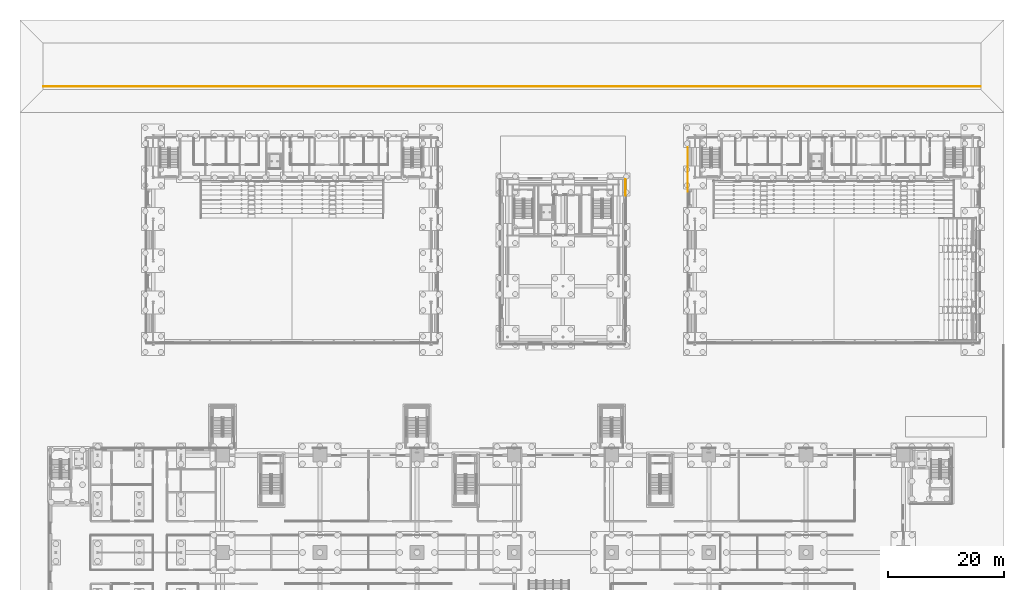
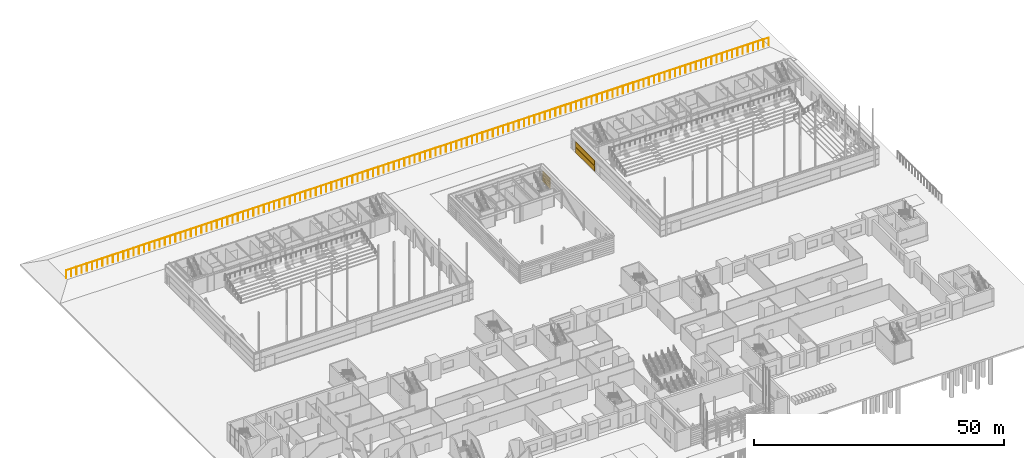
# One storey, part 130 of 139: 7 coverings, 1 railing.
"""IFC4 building model written with IfcOpenShell, lengths in metres."""

from ifc_helpers import new_model, si_unit, direction, frame, origin, origin_2d, place, context, subcontext, project, spatial, rectangle, circle, extrude, material, layer, layer_set, type_object, element, save


model = new_model("IFC4")

# Units and contexts
model_context = context("Model", 3, precision=1e-05, world=origin(), true_north=direction((0.0, 1.0)))
body_context = subcontext(model_context, "Body", "Model", "MODEL_VIEW")
ifc_project = project(units=[si_unit("LENGTHUNIT", "METRE"), si_unit("AREAUNIT", "SQUARE_METRE"), si_unit("VOLUMEUNIT", "CUBIC_METRE"), si_unit("PLANEANGLEUNIT", "RADIAN"), si_unit("MASSUNIT", "GRAM", prefix="KILO")], contexts=[model_context])

# Site, building, storey
site_placement = place(None, origin())
site = spatial("IfcSite", under=ifc_project, at=site_placement, CompositionType="ELEMENT")
building_placement = place(site_placement, origin())
building = spatial("IfcBuilding", under=site, at=building_placement, Name="Verrick Yard Athletic Hall", CompositionType="ELEMENT")
storey_placement = place(building_placement, origin())
storey = spatial("IfcBuildingStorey", under=building, at=storey_placement, Name="L00", CompositionType="ELEMENT", Elevation=0.0)

# Railing
ifc_material_1 = material(Name="Galvanised steel", Category="steel")
railing_type = type_object("IfcRailingType", Name="Site fence", PredefinedType="USERDEFINED", material=ifc_material_1)
railing_placement = place(storey_placement, frame((9.0, 116.5, 2.0)))
element("IfcRailing", 1, at=railing_placement, inside=storey, type_object=railing_type, Name="Rail-side fence", ObjectType="FENCE", PredefinedType="USERDEFINED", context=body_context, shape_type="SweptSolid", body=[
    extrude(circle(Radius=0.02392578125, at=origin_2d()), frame((0.0, 0.0, 1.97607421875), z_axis=(1.0, 0.0, 0.0), x_axis=(0.0, 1.0, 0.0)), (0.0, 0.0, 1.0), 162.0),
    extrude(circle(Radius=0.02099609375, at=origin_2d()), origin(), (0.0, 0.0, 1.0), 1.951904296875),
    extrude(circle(Radius=0.02099609375, at=origin_2d()), frame((1.199951171875, 0.0, 0.0)), (0.0, 0.0, 1.0), 1.951904296875),
    extrude(circle(Radius=0.02099609375, at=origin_2d()), frame((2.39990234375, 0.0, 0.0)), (0.0, 0.0, 1.0), 1.951904296875),
    extrude(circle(Radius=0.02099609375, at=origin_2d()), frame((3.60009765625, 0.0, 0.0)), (0.0, 0.0, 1.0), 1.951904296875),
    extrude(circle(Radius=0.02099609375, at=origin_2d()), frame((4.800048828125, 0.0, 0.0)), (0.0, 0.0, 1.0), 1.951904296875),
    extrude(circle(Radius=0.02099609375, at=origin_2d()), frame((6.0, 0.0, 0.0)), (0.0, 0.0, 1.0), 1.951904296875),
    extrude(circle(Radius=0.02099609375, at=origin_2d()), frame((7.199951171875, 0.0, 0.0)), (0.0, 0.0, 1.0), 1.951904296875),
    extrude(circle(Radius=0.02099609375, at=origin_2d()), frame((8.39990234375, 0.0, 0.0)), (0.0, 0.0, 1.0), 1.951904296875),
    extrude(circle(Radius=0.02099609375, at=origin_2d()), frame((9.60009765625, 0.0, 0.0)), (0.0, 0.0, 1.0), 1.951904296875),
    extrude(circle(Radius=0.02099609375, at=origin_2d()), frame((10.800048828125, 0.0, 0.0)), (0.0, 0.0, 1.0), 1.951904296875),
    extrude(circle(Radius=0.02099609375, at=origin_2d()), frame((12.0, 0.0, 0.0)), (0.0, 0.0, 1.0), 1.951904296875),
    extrude(circle(Radius=0.02099609375, at=origin_2d()), frame((13.199951171875, 0.0, 0.0)), (0.0, 0.0, 1.0), 1.951904296875),
    extrude(circle(Radius=0.02099609375, at=origin_2d()), frame((14.39990234375, 0.0, 0.0)), (0.0, 0.0, 1.0), 1.951904296875),
    extrude(circle(Radius=0.02099609375, at=origin_2d()), frame((15.60009765625, 0.0, 0.0)), (0.0, 0.0, 1.0), 1.951904296875),
    extrude(circle(Radius=0.02099609375, at=origin_2d()), frame((16.800048828125, 0.0, 0.0)), (0.0, 0.0, 1.0), 1.951904296875),
    extrude(circle(Radius=0.02099609375, at=origin_2d()), frame((18.0, 0.0, 0.0)), (0.0, 0.0, 1.0), 1.951904296875),
    extrude(circle(Radius=0.02099609375, at=origin_2d()), frame((19.199951171875, 0.0, 0.0)), (0.0, 0.0, 1.0), 1.951904296875),
    extrude(circle(Radius=0.02099609375, at=origin_2d()), frame((20.39990234375, 0.0, 0.0)), (0.0, 0.0, 1.0), 1.951904296875),
    extrude(circle(Radius=0.02099609375, at=origin_2d()), frame((21.60009765625, 0.0, 0.0)), (0.0, 0.0, 1.0), 1.951904296875),
    extrude(circle(Radius=0.02099609375, at=origin_2d()), frame((22.800048828125, 0.0, 0.0)), (0.0, 0.0, 1.0), 1.951904296875),
    extrude(circle(Radius=0.02099609375, at=origin_2d()), frame((24.0, 0.0, 0.0)), (0.0, 0.0, 1.0), 1.951904296875),
    extrude(circle(Radius=0.02099609375, at=origin_2d()), frame((25.199951171875, 0.0, 0.0)), (0.0, 0.0, 1.0), 1.951904296875),
    extrude(circle(Radius=0.02099609375, at=origin_2d()), frame((26.39990234375, 0.0, 0.0)), (0.0, 0.0, 1.0), 1.951904296875),
    extrude(circle(Radius=0.02099609375, at=origin_2d()), frame((27.60009765625, 0.0, 0.0)), (0.0, 0.0, 1.0), 1.951904296875),
    extrude(circle(Radius=0.02099609375, at=origin_2d()), frame((28.800048828125, 0.0, 0.0)), (0.0, 0.0, 1.0), 1.951904296875),
    extrude(circle(Radius=0.02099609375, at=origin_2d()), frame((30.0, 0.0, 0.0)), (0.0, 0.0, 1.0), 1.951904296875),
    extrude(circle(Radius=0.02099609375, at=origin_2d()), frame((31.199951171875, 0.0, 0.0)), (0.0, 0.0, 1.0), 1.951904296875),
    extrude(circle(Radius=0.02099609375, at=origin_2d()), frame((32.39990234375, 0.0, 0.0)), (0.0, 0.0, 1.0), 1.951904296875),
    extrude(circle(Radius=0.02099609375, at=origin_2d()), frame((33.60009765625, 0.0, 0.0)), (0.0, 0.0, 1.0), 1.951904296875),
    extrude(circle(Radius=0.02099609375, at=origin_2d()), frame((34.800048828125, 0.0, 0.0)), (0.0, 0.0, 1.0), 1.951904296875),
    extrude(circle(Radius=0.02099609375, at=origin_2d()), frame((36.0, 0.0, 0.0)), (0.0, 0.0, 1.0), 1.951904296875),
    extrude(circle(Radius=0.02099609375, at=origin_2d()), frame((37.199951171875, 0.0, 0.0)), (0.0, 0.0, 1.0), 1.951904296875),
    extrude(circle(Radius=0.02099609375, at=origin_2d()), frame((38.39990234375, 0.0, 0.0)), (0.0, 0.0, 1.0), 1.951904296875),
    extrude(circle(Radius=0.02099609375, at=origin_2d()), frame((39.60009765625, 0.0, 0.0)), (0.0, 0.0, 1.0), 1.951904296875),
    extrude(circle(Radius=0.02099609375, at=origin_2d()), frame((40.800048828125, 0.0, 0.0)), (0.0, 0.0, 1.0), 1.951904296875),
    extrude(circle(Radius=0.02099609375, at=origin_2d()), frame((42.0, 0.0, 0.0)), (0.0, 0.0, 1.0), 1.951904296875),
    extrude(circle(Radius=0.02099609375, at=origin_2d()), frame((43.199951171875, 0.0, 0.0)), (0.0, 0.0, 1.0), 1.951904296875),
    extrude(circle(Radius=0.02099609375, at=origin_2d()), frame((44.39990234375, 0.0, 0.0)), (0.0, 0.0, 1.0), 1.951904296875),
    extrude(circle(Radius=0.02099609375, at=origin_2d()), frame((45.60009765625, 0.0, 0.0)), (0.0, 0.0, 1.0), 1.951904296875),
    extrude(circle(Radius=0.02099609375, at=origin_2d()), frame((46.800048828125, 0.0, 0.0)), (0.0, 0.0, 1.0), 1.951904296875),
    extrude(circle(Radius=0.02099609375, at=origin_2d()), frame((48.0, 0.0, 0.0)), (0.0, 0.0, 1.0), 1.951904296875),
    extrude(circle(Radius=0.02099609375, at=origin_2d()), frame((49.199951171875, 0.0, 0.0)), (0.0, 0.0, 1.0), 1.951904296875),
    extrude(circle(Radius=0.02099609375, at=origin_2d()), frame((50.39990234375, 0.0, 0.0)), (0.0, 0.0, 1.0), 1.951904296875),
    extrude(circle(Radius=0.02099609375, at=origin_2d()), frame((51.60009765625, 0.0, 0.0)), (0.0, 0.0, 1.0), 1.951904296875),
    extrude(circle(Radius=0.02099609375, at=origin_2d()), frame((52.800048828125, 0.0, 0.0)), (0.0, 0.0, 1.0), 1.951904296875),
    extrude(circle(Radius=0.02099609375, at=origin_2d()), frame((54.0, 0.0, 0.0)), (0.0, 0.0, 1.0), 1.951904296875),
    extrude(circle(Radius=0.02099609375, at=origin_2d()), frame((55.199951171875, 0.0, 0.0)), (0.0, 0.0, 1.0), 1.951904296875),
    extrude(circle(Radius=0.02099609375, at=origin_2d()), frame((56.39990234375, 0.0, 0.0)), (0.0, 0.0, 1.0), 1.951904296875),
    extrude(circle(Radius=0.02099609375, at=origin_2d()), frame((57.60009765625, 0.0, 0.0)), (0.0, 0.0, 1.0), 1.951904296875),
    extrude(circle(Radius=0.02099609375, at=origin_2d()), frame((58.800048828125, 0.0, 0.0)), (0.0, 0.0, 1.0), 1.951904296875),
    extrude(circle(Radius=0.02099609375, at=origin_2d()), frame((60.0, 0.0, 0.0)), (0.0, 0.0, 1.0), 1.951904296875),
    extrude(circle(Radius=0.02099609375, at=origin_2d()), frame((61.199951171875, 0.0, 0.0)), (0.0, 0.0, 1.0), 1.951904296875),
    extrude(circle(Radius=0.02099609375, at=origin_2d()), frame((62.39990234375, 0.0, 0.0)), (0.0, 0.0, 1.0), 1.951904296875),
    extrude(circle(Radius=0.02099609375, at=origin_2d()), frame((63.60009765625, 0.0, 0.0)), (0.0, 0.0, 1.0), 1.951904296875),
    extrude(circle(Radius=0.02099609375, at=origin_2d()), frame((64.800048828125, 0.0, 0.0)), (0.0, 0.0, 1.0), 1.951904296875),
    extrude(circle(Radius=0.02099609375, at=origin_2d()), frame((66.0, 0.0, 0.0)), (0.0, 0.0, 1.0), 1.951904296875),
    extrude(circle(Radius=0.02099609375, at=origin_2d()), frame((67.199951171875, 0.0, 0.0)), (0.0, 0.0, 1.0), 1.951904296875),
    extrude(circle(Radius=0.02099609375, at=origin_2d()), frame((68.39990234375, 0.0, 0.0)), (0.0, 0.0, 1.0), 1.951904296875),
    extrude(circle(Radius=0.02099609375, at=origin_2d()), frame((69.60009765625, 0.0, 0.0)), (0.0, 0.0, 1.0), 1.951904296875),
    extrude(circle(Radius=0.02099609375, at=origin_2d()), frame((70.800048828125, 0.0, 0.0)), (0.0, 0.0, 1.0), 1.951904296875),
    extrude(circle(Radius=0.02099609375, at=origin_2d()), frame((72.0, 0.0, 0.0)), (0.0, 0.0, 1.0), 1.951904296875),
    extrude(circle(Radius=0.02099609375, at=origin_2d()), frame((73.199951171875, 0.0, 0.0)), (0.0, 0.0, 1.0), 1.951904296875),
    extrude(circle(Radius=0.02099609375, at=origin_2d()), frame((74.39990234375, 0.0, 0.0)), (0.0, 0.0, 1.0), 1.951904296875),
    extrude(circle(Radius=0.02099609375, at=origin_2d()), frame((75.60009765625, 0.0, 0.0)), (0.0, 0.0, 1.0), 1.951904296875),
    extrude(circle(Radius=0.02099609375, at=origin_2d()), frame((76.800048828125, 0.0, 0.0)), (0.0, 0.0, 1.0), 1.951904296875),
    extrude(circle(Radius=0.02099609375, at=origin_2d()), frame((78.0, 0.0, 0.0)), (0.0, 0.0, 1.0), 1.951904296875),
    extrude(circle(Radius=0.02099609375, at=origin_2d()), frame((79.199951171875, 0.0, 0.0)), (0.0, 0.0, 1.0), 1.951904296875),
    extrude(circle(Radius=0.02099609375, at=origin_2d()), frame((80.39990234375, 0.0, 0.0)), (0.0, 0.0, 1.0), 1.951904296875),
    extrude(circle(Radius=0.02099609375, at=origin_2d()), frame((81.60009765625, 0.0, 0.0)), (0.0, 0.0, 1.0), 1.951904296875),
    extrude(circle(Radius=0.02099609375, at=origin_2d()), frame((82.800048828125, 0.0, 0.0)), (0.0, 0.0, 1.0), 1.951904296875),
    extrude(circle(Radius=0.02099609375, at=origin_2d()), frame((84.0, 0.0, 0.0)), (0.0, 0.0, 1.0), 1.951904296875),
    extrude(circle(Radius=0.02099609375, at=origin_2d()), frame((85.199951171875, 0.0, 0.0)), (0.0, 0.0, 1.0), 1.951904296875),
    extrude(circle(Radius=0.02099609375, at=origin_2d()), frame((86.39990234375, 0.0, 0.0)), (0.0, 0.0, 1.0), 1.951904296875),
    extrude(circle(Radius=0.02099609375, at=origin_2d()), frame((87.60009765625, 0.0, 0.0)), (0.0, 0.0, 1.0), 1.951904296875),
    extrude(circle(Radius=0.02099609375, at=origin_2d()), frame((88.800048828125, 0.0, 0.0)), (0.0, 0.0, 1.0), 1.951904296875),
    extrude(circle(Radius=0.02099609375, at=origin_2d()), frame((90.0, 0.0, 0.0)), (0.0, 0.0, 1.0), 1.951904296875),
    extrude(circle(Radius=0.02099609375, at=origin_2d()), frame((91.199951171875, 0.0, 0.0)), (0.0, 0.0, 1.0), 1.951904296875),
    extrude(circle(Radius=0.02099609375, at=origin_2d()), frame((92.39990234375, 0.0, 0.0)), (0.0, 0.0, 1.0), 1.951904296875),
    extrude(circle(Radius=0.02099609375, at=origin_2d()), frame((93.60009765625, 0.0, 0.0)), (0.0, 0.0, 1.0), 1.951904296875),
    extrude(circle(Radius=0.02099609375, at=origin_2d()), frame((94.800048828125, 0.0, 0.0)), (0.0, 0.0, 1.0), 1.951904296875),
    extrude(circle(Radius=0.02099609375, at=origin_2d()), frame((96.0, 0.0, 0.0)), (0.0, 0.0, 1.0), 1.951904296875),
    extrude(circle(Radius=0.02099609375, at=origin_2d()), frame((97.199951171875, 0.0, 0.0)), (0.0, 0.0, 1.0), 1.951904296875),
    extrude(circle(Radius=0.02099609375, at=origin_2d()), frame((98.39990234375, 0.0, 0.0)), (0.0, 0.0, 1.0), 1.951904296875),
    extrude(circle(Radius=0.02099609375, at=origin_2d()), frame((99.60009765625, 0.0, 0.0)), (0.0, 0.0, 1.0), 1.951904296875),
    extrude(circle(Radius=0.02099609375, at=origin_2d()), frame((100.800048828125, 0.0, 0.0)), (0.0, 0.0, 1.0), 1.951904296875),
    extrude(circle(Radius=0.02099609375, at=origin_2d()), frame((102.0, 0.0, 0.0)), (0.0, 0.0, 1.0), 1.951904296875),
    extrude(circle(Radius=0.02099609375, at=origin_2d()), frame((103.199951171875, 0.0, 0.0)), (0.0, 0.0, 1.0), 1.951904296875),
    extrude(circle(Radius=0.02099609375, at=origin_2d()), frame((104.39990234375, 0.0, 0.0)), (0.0, 0.0, 1.0), 1.951904296875),
    extrude(circle(Radius=0.02099609375, at=origin_2d()), frame((105.60009765625, 0.0, 0.0)), (0.0, 0.0, 1.0), 1.951904296875),
    extrude(circle(Radius=0.02099609375, at=origin_2d()), frame((106.800048828125, 0.0, 0.0)), (0.0, 0.0, 1.0), 1.951904296875),
    extrude(circle(Radius=0.02099609375, at=origin_2d()), frame((108.0, 0.0, 0.0)), (0.0, 0.0, 1.0), 1.951904296875),
    extrude(circle(Radius=0.02099609375, at=origin_2d()), frame((109.199951171875, 0.0, 0.0)), (0.0, 0.0, 1.0), 1.951904296875),
    extrude(circle(Radius=0.02099609375, at=origin_2d()), frame((110.39990234375, 0.0, 0.0)), (0.0, 0.0, 1.0), 1.951904296875),
    extrude(circle(Radius=0.02099609375, at=origin_2d()), frame((111.60009765625, 0.0, 0.0)), (0.0, 0.0, 1.0), 1.951904296875),
    extrude(circle(Radius=0.02099609375, at=origin_2d()), frame((112.800048828125, 0.0, 0.0)), (0.0, 0.0, 1.0), 1.951904296875),
    extrude(circle(Radius=0.02099609375, at=origin_2d()), frame((114.0, 0.0, 0.0)), (0.0, 0.0, 1.0), 1.951904296875),
    extrude(circle(Radius=0.02099609375, at=origin_2d()), frame((115.199951171875, 0.0, 0.0)), (0.0, 0.0, 1.0), 1.951904296875),
    extrude(circle(Radius=0.02099609375, at=origin_2d()), frame((116.39990234375, 0.0, 0.0)), (0.0, 0.0, 1.0), 1.951904296875),
    extrude(circle(Radius=0.02099609375, at=origin_2d()), frame((117.60009765625, 0.0, 0.0)), (0.0, 0.0, 1.0), 1.951904296875),
    extrude(circle(Radius=0.02099609375, at=origin_2d()), frame((118.800048828125, 0.0, 0.0)), (0.0, 0.0, 1.0), 1.951904296875),
    extrude(circle(Radius=0.02099609375, at=origin_2d()), frame((120.0, 0.0, 0.0)), (0.0, 0.0, 1.0), 1.951904296875),
    extrude(circle(Radius=0.02099609375, at=origin_2d()), frame((121.199951171875, 0.0, 0.0)), (0.0, 0.0, 1.0), 1.951904296875),
    extrude(circle(Radius=0.02099609375, at=origin_2d()), frame((122.39990234375, 0.0, 0.0)), (0.0, 0.0, 1.0), 1.951904296875),
    extrude(circle(Radius=0.02099609375, at=origin_2d()), frame((123.60009765625, 0.0, 0.0)), (0.0, 0.0, 1.0), 1.951904296875),
    extrude(circle(Radius=0.02099609375, at=origin_2d()), frame((124.800048828125, 0.0, 0.0)), (0.0, 0.0, 1.0), 1.951904296875),
    extrude(circle(Radius=0.02099609375, at=origin_2d()), frame((126.0, 0.0, 0.0)), (0.0, 0.0, 1.0), 1.951904296875),
    extrude(circle(Radius=0.02099609375, at=origin_2d()), frame((127.199951171875, 0.0, 0.0)), (0.0, 0.0, 1.0), 1.951904296875),
    extrude(circle(Radius=0.02099609375, at=origin_2d()), frame((128.39990234375, 0.0, 0.0)), (0.0, 0.0, 1.0), 1.951904296875),
    extrude(circle(Radius=0.02099609375, at=origin_2d()), frame((129.60009765625, 0.0, 0.0)), (0.0, 0.0, 1.0), 1.951904296875),
    extrude(circle(Radius=0.02099609375, at=origin_2d()), frame((130.800048828125, 0.0, 0.0)), (0.0, 0.0, 1.0), 1.951904296875),
    extrude(circle(Radius=0.02099609375, at=origin_2d()), frame((132.0, 0.0, 0.0)), (0.0, 0.0, 1.0), 1.951904296875),
    extrude(circle(Radius=0.02099609375, at=origin_2d()), frame((133.199951171875, 0.0, 0.0)), (0.0, 0.0, 1.0), 1.951904296875),
    extrude(circle(Radius=0.02099609375, at=origin_2d()), frame((134.39990234375, 0.0, 0.0)), (0.0, 0.0, 1.0), 1.951904296875),
    extrude(circle(Radius=0.02099609375, at=origin_2d()), frame((135.60009765625, 0.0, 0.0)), (0.0, 0.0, 1.0), 1.951904296875),
    extrude(circle(Radius=0.02099609375, at=origin_2d()), frame((136.800048828125, 0.0, 0.0)), (0.0, 0.0, 1.0), 1.951904296875),
    extrude(circle(Radius=0.02099609375, at=origin_2d()), frame((138.0, 0.0, 0.0)), (0.0, 0.0, 1.0), 1.951904296875),
    extrude(circle(Radius=0.02099609375, at=origin_2d()), frame((139.199951171875, 0.0, 0.0)), (0.0, 0.0, 1.0), 1.951904296875),
    extrude(circle(Radius=0.02099609375, at=origin_2d()), frame((140.39990234375, 0.0, 0.0)), (0.0, 0.0, 1.0), 1.951904296875),
    extrude(circle(Radius=0.02099609375, at=origin_2d()), frame((141.60009765625, 0.0, 0.0)), (0.0, 0.0, 1.0), 1.951904296875),
    extrude(circle(Radius=0.02099609375, at=origin_2d()), frame((142.800048828125, 0.0, 0.0)), (0.0, 0.0, 1.0), 1.951904296875),
    extrude(circle(Radius=0.02099609375, at=origin_2d()), frame((144.0, 0.0, 0.0)), (0.0, 0.0, 1.0), 1.951904296875),
    extrude(circle(Radius=0.02099609375, at=origin_2d()), frame((145.199951171875, 0.0, 0.0)), (0.0, 0.0, 1.0), 1.951904296875),
    extrude(circle(Radius=0.02099609375, at=origin_2d()), frame((146.39990234375, 0.0, 0.0)), (0.0, 0.0, 1.0), 1.951904296875),
    extrude(circle(Radius=0.02099609375, at=origin_2d()), frame((147.60009765625, 0.0, 0.0)), (0.0, 0.0, 1.0), 1.951904296875),
    extrude(circle(Radius=0.02099609375, at=origin_2d()), frame((148.800048828125, 0.0, 0.0)), (0.0, 0.0, 1.0), 1.951904296875),
    extrude(circle(Radius=0.02099609375, at=origin_2d()), frame((150.0, 0.0, 0.0)), (0.0, 0.0, 1.0), 1.951904296875),
    extrude(circle(Radius=0.02099609375, at=origin_2d()), frame((151.199951171875, 0.0, 0.0)), (0.0, 0.0, 1.0), 1.951904296875),
    extrude(circle(Radius=0.02099609375, at=origin_2d()), frame((152.39990234375, 0.0, 0.0)), (0.0, 0.0, 1.0), 1.951904296875),
    extrude(circle(Radius=0.02099609375, at=origin_2d()), frame((153.60009765625, 0.0, 0.0)), (0.0, 0.0, 1.0), 1.951904296875),
    extrude(circle(Radius=0.02099609375, at=origin_2d()), frame((154.800048828125, 0.0, 0.0)), (0.0, 0.0, 1.0), 1.951904296875),
    extrude(circle(Radius=0.02099609375, at=origin_2d()), frame((156.0, 0.0, 0.0)), (0.0, 0.0, 1.0), 1.951904296875),
    extrude(circle(Radius=0.02099609375, at=origin_2d()), frame((157.199951171875, 0.0, 0.0)), (0.0, 0.0, 1.0), 1.951904296875),
    extrude(circle(Radius=0.02099609375, at=origin_2d()), frame((158.39990234375, 0.0, 0.0)), (0.0, 0.0, 1.0), 1.951904296875),
    extrude(circle(Radius=0.02099609375, at=origin_2d()), frame((159.60009765625, 0.0, 0.0)), (0.0, 0.0, 1.0), 1.951904296875),
    extrude(circle(Radius=0.02099609375, at=origin_2d()), frame((160.800048828125, 0.0, 0.0)), (0.0, 0.0, 1.0), 1.951904296875),
    extrude(circle(Radius=0.02099609375, at=origin_2d()), frame((162.0, 0.0, 0.0)), (0.0, 0.0, 1.0), 1.951904296875),
])

# Coverings
ifc_material_2 = material(Name="Tyndall-stone-look precast cladding", Category="masonry")
ifc_layer = layer(ifc_material_2, 0.125)
ifc_layer_set = layer_set([ifc_layer], Name="Stone cladding")
covering_type = type_object("IfcCoveringType", Name="Stone cladding", PredefinedType="CLADDING", material=ifc_layer_set)
for number, where, z_axis, x_axis, name in (
    (2, (109.637451171875, 99.050048828125, 0.125), (0.0, 0.0, 1.0), (0.0, 1.0, 0.0), "Climbing hall rustication"),
    (3, (109.637451171875, 99.050048828125, 0.643798828125), (0.0, 0.0, 1.0), (0.0, 1.0, 0.0), "Climbing hall rustication"),
    (4, (109.637451171875, 99.050048828125, 1.16259765625), (0.0, 0.0, 1.0), (0.0, 1.0, 0.0), "Climbing hall rustication"),
    (5, (109.637451171875, 99.050048828125, 1.68115234375), (0.0, 0.0, 1.0), (0.0, 1.0, 0.0), "Climbing hall rustication"),
    (6, (109.637451171875, 99.050048828125, 2.199951171875), (0.0, 0.0, 1.0), (0.0, 1.0, 0.0), "Climbing hall rustication"),
):
    element("IfcCovering", number, at=place(storey_placement, frame(where, z_axis=z_axis, x_axis=x_axis)), inside=storey, type_object=covering_type, Name=name, PredefinedType="CLADDING", context=body_context, shape_type="SweptSolid", body=[
        extrude(rectangle(XDim=2.800048828125, YDim=0.074951171875, at=origin_2d()), origin(), (0.0, 0.0, 1.0), 0.46875),
    ])
for number, where, z_axis, x_axis, name in (
    (7, (120.362548828125, 102.17578125, 0.125), (0.0, 0.0, 1.0), (0.0, 1.0, 0.0), "Hall base rustication"),
    (8, (120.362548828125, 102.17578125, 1.47509765625), (0.0, 0.0, 1.0), (0.0, 1.0, 0.0), "Hall base rustication"),
):
    element("IfcCovering", number, at=place(storey_placement, frame(where, z_axis=z_axis, x_axis=x_axis)), inside=storey, type_object=covering_type, Name=name, PredefinedType="CLADDING", context=body_context, shape_type="SweptSolid", body=[
        extrude(rectangle(XDim=7.64990234375, YDim=0.074951171875, at=origin_2d()), origin(), (0.0, 0.0, 1.0), 1.300048828125),
    ])

save(model, "model.ifc")
